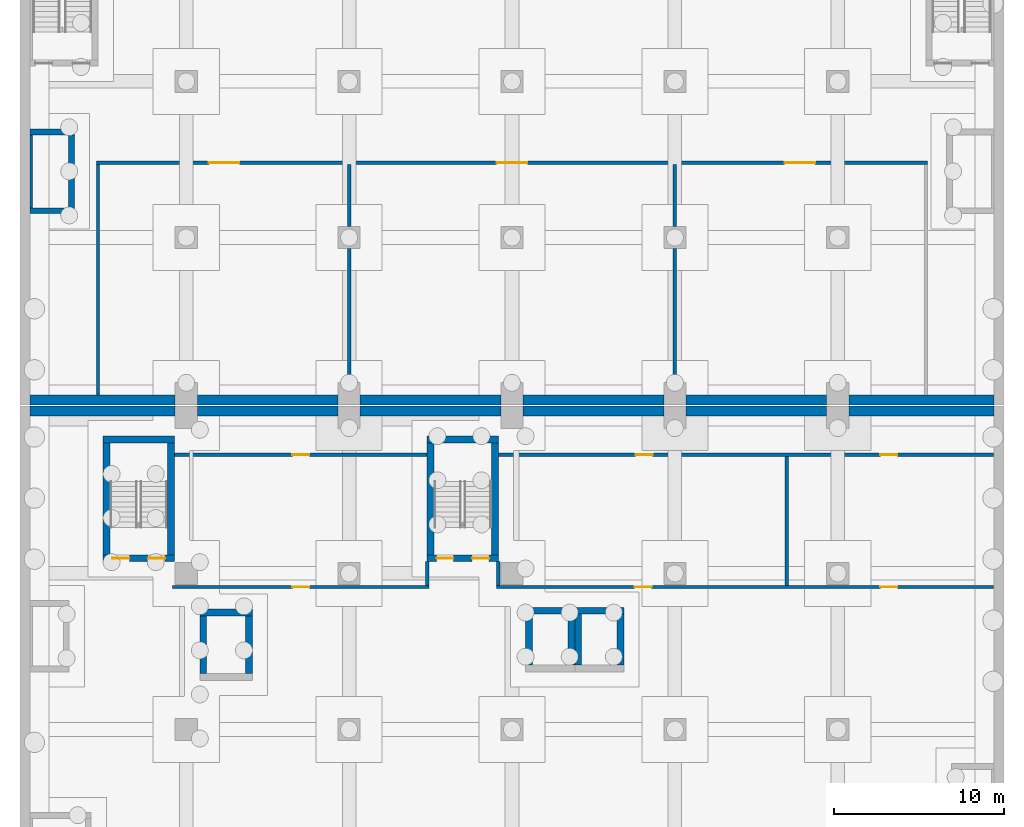
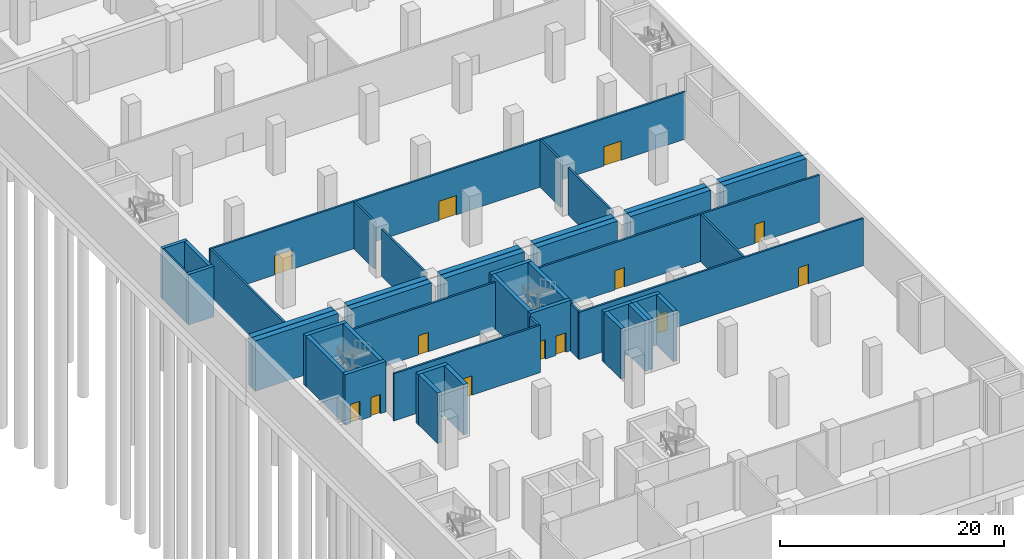
# One storey, part 11 of 33: 46 walls, 13 doors, 13 openings.
"""IFC4 building model written with IfcOpenShell, lengths in metres."""

from ifc_helpers import new_model, si_unit, direction, frame, frame_2d, origin, place, context, subcontext, project, spatial, rectangle, extrude, material, layer, layer_set, type_object, element, fill, save


model = new_model("IFC4")

# Units and contexts
model_context = context("Model", 3, precision=1e-05, world=origin(), true_north=direction((0.0, 1.0)))
body_context = subcontext(model_context, "Body", "Model", "MODEL_VIEW")
ifc_project = project(units=[si_unit("LENGTHUNIT", "METRE"), si_unit("AREAUNIT", "SQUARE_METRE"), si_unit("VOLUMEUNIT", "CUBIC_METRE"), si_unit("PLANEANGLEUNIT", "RADIAN"), si_unit("MASSUNIT", "GRAM", prefix="KILO")], contexts=[model_context])

# Site, building, storey
site_placement = place(None, origin())
site = spatial("IfcSite", under=ifc_project, at=site_placement, CompositionType="ELEMENT")
building_placement = place(site_placement, origin())
building = spatial("IfcBuilding", under=site, at=building_placement, Name="Nzadi Deep Aquarium and Research Tower", CompositionType="ELEMENT")
storey_placement = place(building_placement, frame((0.0, 0.0, -5.5)))
storey = spatial("IfcBuildingStorey", under=building, at=storey_placement, Name="B1", CompositionType="ELEMENT", Elevation=-5.5)

# Wall, opening, door
ifc_material_1 = material(Name="Blockwork masonry", Category="masonry")
ifc_layer_1 = layer(ifc_material_1, 0.199951171875)
ifc_layer_set_1 = layer_set([ifc_layer_1], Name="Blockwork masonry")
wall_type_1 = type_object("IfcWallType", Name="Partition 200 EI 120", PredefinedType="PARTITIONING", material=ifc_layer_set_1)
wall_1_placement = place(storey_placement, frame((8.800048828125, 36.0, 0.0), z_axis=(0.0, 0.0, 1.0), x_axis=(1.0, 0.0, 0.0)))
wall_1 = element("IfcWall", 1, at=wall_1_placement, inside=storey, type_object=wall_type_1, Name="W-Z1-B1-P003", PredefinedType="PARTITIONING", context=body_context, shape_type="SweptSolid", body=[
    extrude(rectangle(XDim=15.099853515625, YDim=0.199951171875, at=frame_2d((7.5498046875, 0.0))), origin(), (0.0, 0.0, 1.0), 5.14990234375),
])
opening_1_placement = place(wall_1_placement, frame((7.050048828125, 0.0, 0.0)))
opening_1 = element("IfcOpeningElement", 2, at=opening_1_placement, cuts=wall_1, Name="Opening D001006", PredefinedType="OPENING", context=body_context, shape_type="SweptSolid", body=[
    extrude(rectangle(XDim=1.0, YDim=2.10009765625, at=frame_2d((0.5, 1.050048828125))), frame((0.0, 0.110107421875, 0.0), z_axis=(0.0, -1.0, 0.0), x_axis=(1.0, 0.0, 0.0)), (0.0, 0.0, 1.0), 0.22021484375),
])
ifc_material_2 = material(Name="Fire-rated steel door", Category="steel")
ifc_layer_2 = layer(ifc_material_2, 0.050048828125)
ifc_layer_set_2 = layer_set([ifc_layer_2], Name="Fire-rated steel door")
door_type_1 = type_object("IfcDoorType", Name="Door 1000x2100 EI 120 single", OperationType="SINGLE_SWING_LEFT", PredefinedType="DOOR", material=ifc_layer_set_2)
door_1_placement = place(opening_1_placement, origin())
door_1 = element("IfcDoor", 3, at=door_1_placement, inside=storey, type_object=door_type_1, Name="D001006", OperationType="SINGLE_SWING_RIGHT", OverallHeight=2.10009765625, OverallWidth=1.0, PredefinedType="DOOR", context=body_context, shape_type="SweptSolid", body=[
    extrude(rectangle(XDim=1.0, YDim=2.10009765625, at=frame_2d((0.5, 1.050048828125))), frame((0.0, 0.02490234375, 0.0), z_axis=(0.0, -1.0, 0.0), x_axis=(1.0, 0.0, 0.0)), (0.0, 0.0, 1.0), 0.050048828125),
])
fill(opening_1, door_1)

wall_2_placement = place(storey_placement, frame((8.906005859375, 43.800048828125, 0.0), z_axis=(0.0, 0.0, 1.0), x_axis=(1.0, 0.0, 0.0)))
wall_2 = element("IfcWall", 4, at=wall_2_placement, inside=storey, type_object=wall_type_1, Name="W-Z1-B1-P004", PredefinedType="PARTITIONING", context=body_context, shape_type="SweptSolid", body=[
    extrude(rectangle(XDim=14.887939453125, YDim=0.199951171875, at=frame_2d((7.44384765625, 0.0))), origin(), (0.0, 0.0, 1.0), 5.14990234375),
])
opening_2_placement = place(wall_2_placement, frame((6.944091796875, 0.0, 0.0)))
opening_2 = element("IfcOpeningElement", 5, at=opening_2_placement, cuts=wall_2, Name="Opening D001005", PredefinedType="OPENING", context=body_context, shape_type="SweptSolid", body=[
    extrude(rectangle(XDim=1.0, YDim=2.10009765625, at=frame_2d((0.5, 1.050048828125))), frame((0.0, 0.110107421875, 0.0), z_axis=(0.0, -1.0, 0.0), x_axis=(1.0, 0.0, 0.0)), (0.0, 0.0, 1.0), 0.22021484375),
])
door_2_placement = place(opening_2_placement, origin())
door_2 = element("IfcDoor", 6, at=door_2_placement, inside=storey, type_object=door_type_1, Name="D001005", OperationType="SINGLE_SWING_RIGHT", OverallHeight=2.10009765625, OverallWidth=1.0, PredefinedType="DOOR", context=body_context, shape_type="SweptSolid", body=[
    extrude(rectangle(XDim=1.0, YDim=2.10009765625, at=frame_2d((0.5, 1.050048828125))), frame((0.0, 0.02490234375, 0.0), z_axis=(0.0, -1.0, 0.0), x_axis=(1.0, 0.0, 0.0)), (0.0, 0.0, 1.0), 0.050048828125),
])
fill(opening_2, door_2)

# Wall
wall_3_placement = place(storey_placement, frame((23.800048828125, 36.10009765625, 0.0), z_axis=(0.0, 0.0, 1.0), x_axis=(0.0, 1.0, 0.0)))
element("IfcWall", 7, at=wall_3_placement, inside=storey, type_object=wall_type_1, Name="W-Z1-B1-P008", PredefinedType="PARTITIONING", context=body_context, shape_type="SweptSolid", body=[
    extrude(rectangle(XDim=1.393798828125, YDim=0.199951171875, at=frame_2d((0.69677734375, 0.0))), origin(), (0.0, 0.0, 1.0), 5.14990234375),
])

# Wall, openings, doors
wall_4_placement = place(storey_placement, frame((27.89990234375, 36.0, 0.0), z_axis=(0.0, 0.0, 1.0), x_axis=(1.0, 0.0, 0.0)))
wall_4 = element("IfcWall", 8, at=wall_4_placement, inside=storey, type_object=wall_type_1, Name="W-Z1-B1-P009", PredefinedType="PARTITIONING", context=body_context, shape_type="SweptSolid", body=[
    extrude(rectangle(XDim=29.294189453125, YDim=0.199951171875, at=frame_2d((14.64697265625, 0.0))), origin(), (0.0, 0.0, 1.0), 5.14990234375),
])
opening_3_placement = place(wall_4_placement, frame((8.135009765625, 0.0, 0.0)))
opening_3 = element("IfcOpeningElement", 9, at=opening_3_placement, cuts=wall_4, Name="Opening D001008", PredefinedType="OPENING", context=body_context, shape_type="SweptSolid", body=[
    extrude(rectangle(XDim=1.0, YDim=2.10009765625, at=frame_2d((0.5, 1.050048828125))), frame((0.0, 0.110107421875, 0.0), z_axis=(0.0, -1.0, 0.0), x_axis=(1.0, 0.0, 0.0)), (0.0, 0.0, 1.0), 0.22021484375),
])
opening_4_placement = place(wall_4_placement, frame((22.612060546875, 0.0, 0.0)))
opening_4 = element("IfcOpeningElement", 10, at=opening_4_placement, cuts=wall_4, Name="Opening D001010", PredefinedType="OPENING", context=body_context, shape_type="SweptSolid", body=[
    extrude(rectangle(XDim=1.0, YDim=2.10009765625, at=frame_2d((0.5, 1.050048828125))), frame((0.0, 0.110107421875, 0.0), z_axis=(0.0, -1.0, 0.0), x_axis=(1.0, 0.0, 0.0)), (0.0, 0.0, 1.0), 0.22021484375),
])
door_3_placement = place(opening_3_placement, origin())
door_3 = element("IfcDoor", 11, at=door_3_placement, inside=storey, type_object=door_type_1, Name="D001008", OperationType="SINGLE_SWING_RIGHT", OverallHeight=2.10009765625, OverallWidth=1.0, PredefinedType="DOOR", context=body_context, shape_type="SweptSolid", body=[
    extrude(rectangle(XDim=1.0, YDim=2.10009765625, at=frame_2d((0.5, 1.050048828125))), frame((0.0, 0.02490234375, 0.0), z_axis=(0.0, -1.0, 0.0), x_axis=(1.0, 0.0, 0.0)), (0.0, 0.0, 1.0), 0.050048828125),
])
fill(opening_3, door_3)
door_4_placement = place(opening_4_placement, origin())
door_4 = element("IfcDoor", 12, at=door_4_placement, inside=storey, type_object=door_type_1, Name="D001010", OperationType="SINGLE_SWING_LEFT", OverallHeight=2.10009765625, OverallWidth=1.0, PredefinedType="DOOR", context=body_context, shape_type="SweptSolid", body=[
    extrude(rectangle(XDim=1.0, YDim=2.10009765625, at=frame_2d((0.5, 1.050048828125))), frame((0.0, 0.02490234375, 0.0), z_axis=(0.0, -1.0, 0.0), x_axis=(1.0, 0.0, 0.0)), (0.0, 0.0, 1.0), 0.050048828125),
])
fill(opening_4, door_4)

# Wall
wall_5_placement = place(storey_placement, frame((28.0, 36.10009765625, 0.0), z_axis=(0.0, 0.0, 1.0), x_axis=(0.0, 1.0, 0.0)))
element("IfcWall", 13, at=wall_5_placement, inside=storey, type_object=wall_type_1, Name="W-Z1-B1-P010", PredefinedType="PARTITIONING", context=body_context, shape_type="SweptSolid", body=[
    extrude(rectangle(XDim=1.393798828125, YDim=0.199951171875, at=frame_2d((0.69677734375, 0.0))), origin(), (0.0, 0.0, 1.0), 5.14990234375),
])

# Wall, openings, doors
wall_6_placement = place(storey_placement, frame((28.006103515625, 43.800048828125, 0.0), z_axis=(0.0, 0.0, 1.0), x_axis=(1.0, 0.0, 0.0)))
wall_6 = element("IfcWall", 14, at=wall_6_placement, inside=storey, type_object=wall_type_1, Name="W-Z1-B1-P011", PredefinedType="PARTITIONING", context=body_context, shape_type="SweptSolid", body=[
    extrude(rectangle(XDim=29.18798828125, YDim=0.199951171875, at=frame_2d((14.593994140625, 0.0))), origin(), (0.0, 0.0, 1.0), 5.14990234375),
])
opening_5_placement = place(wall_6_placement, frame((8.08203125, 0.0, 0.0)))
opening_5 = element("IfcOpeningElement", 15, at=opening_5_placement, cuts=wall_6, Name="Opening D001007", PredefinedType="OPENING", context=body_context, shape_type="SweptSolid", body=[
    extrude(rectangle(XDim=1.0, YDim=2.10009765625, at=frame_2d((0.5, 1.050048828125))), frame((0.0, 0.110107421875, 0.0), z_axis=(0.0, -1.0, 0.0), x_axis=(1.0, 0.0, 0.0)), (0.0, 0.0, 1.0), 0.22021484375),
])
opening_6_placement = place(wall_6_placement, frame((22.506103515625, 0.0, 0.0)))
opening_6 = element("IfcOpeningElement", 16, at=opening_6_placement, cuts=wall_6, Name="Opening D001009", PredefinedType="OPENING", context=body_context, shape_type="SweptSolid", body=[
    extrude(rectangle(XDim=1.0, YDim=2.10009765625, at=frame_2d((0.5, 1.050048828125))), frame((0.0, 0.110107421875, 0.0), z_axis=(0.0, -1.0, 0.0), x_axis=(1.0, 0.0, 0.0)), (0.0, 0.0, 1.0), 0.22021484375),
])
door_5_placement = place(opening_5_placement, origin())
door_5 = element("IfcDoor", 17, at=door_5_placement, inside=storey, type_object=door_type_1, Name="D001007", OperationType="SINGLE_SWING_LEFT", OverallHeight=2.10009765625, OverallWidth=1.0, PredefinedType="DOOR", context=body_context, shape_type="SweptSolid", body=[
    extrude(rectangle(XDim=1.0, YDim=2.10009765625, at=frame_2d((0.5, 1.050048828125))), frame((0.0, 0.02490234375, 0.0), z_axis=(0.0, -1.0, 0.0), x_axis=(1.0, 0.0, 0.0)), (0.0, 0.0, 1.0), 0.050048828125),
])
fill(opening_5, door_5)
door_6_placement = place(opening_6_placement, origin())
door_6 = element("IfcDoor", 18, at=door_6_placement, inside=storey, type_object=door_type_1, Name="D001009", OperationType="SINGLE_SWING_RIGHT", OverallHeight=2.10009765625, OverallWidth=1.0, PredefinedType="DOOR", context=body_context, shape_type="SweptSolid", body=[
    extrude(rectangle(XDim=1.0, YDim=2.10009765625, at=frame_2d((0.5, 1.050048828125))), frame((0.0, 0.02490234375, 0.0), z_axis=(0.0, -1.0, 0.0), x_axis=(1.0, 0.0, 0.0)), (0.0, 0.0, 1.0), 0.050048828125),
])
fill(opening_6, door_6)

# Walls
wall_7_placement = place(storey_placement, frame((45.0, 36.10009765625, 0.0), z_axis=(0.0, 0.0, 1.0), x_axis=(0.0, 1.0, 0.0)))
element("IfcWall", 19, at=wall_7_placement, inside=storey, type_object=wall_type_1, Name="W-Z1-B1-P016", PredefinedType="PARTITIONING", context=body_context, shape_type="SweptSolid", body=[
    extrude(rectangle(XDim=7.599853515625, YDim=0.199951171875, at=frame_2d((3.7998046875, 0.0))), origin(), (0.0, 0.0, 1.0), 5.14990234375),
])
wall_8_placement = place(storey_placement, frame((4.39990234375, 47.325927734375, 0.0), z_axis=(0.0, 0.0, 1.0), x_axis=(0.0, 1.0, 0.0)))
element("IfcWall", 20, at=wall_8_placement, inside=storey, type_object=wall_type_1, Name="W-Z2-B1-P001", PredefinedType="PARTITIONING", context=body_context, shape_type="SweptSolid", body=[
    extrude(rectangle(XDim=13.573974609375, YDim=0.199951171875, at=frame_2d((6.787109375, 0.0))), origin(), (0.0, 0.0, 1.0), 5.14990234375),
])

# Wall, openings, doors
wall_9_placement = place(storey_placement, frame((4.300048828125, 61.0, 0.0), z_axis=(0.0, 0.0, 1.0), x_axis=(1.0, 0.0, 0.0)))
wall_9 = element("IfcWall", 21, at=wall_9_placement, inside=storey, type_object=wall_type_1, Name="W-Z2-B1-P002", PredefinedType="PARTITIONING", context=body_context, shape_type="SweptSolid", body=[
    extrude(rectangle(XDim=49.0, YDim=0.199951171875, at=frame_2d((24.5, 0.0))), origin(), (0.0, 0.0, 1.0), 5.14990234375),
])
opening_7_placement = place(wall_9_placement, frame((6.635009765625, 0.0, 0.0)))
opening_7 = element("IfcOpeningElement", 22, at=opening_7_placement, cuts=wall_9, Name="Opening D002001", PredefinedType="OPENING", context=body_context, shape_type="SweptSolid", body=[
    extrude(rectangle(XDim=1.800048828125, YDim=2.10009765625, at=frame_2d((0.89990234375, 1.050048828125))), frame((0.0, 0.110107421875, 0.0), z_axis=(0.0, -1.0, 0.0), x_axis=(1.0, 0.0, 0.0)), (0.0, 0.0, 1.0), 0.22021484375),
])
opening_8_placement = place(wall_9_placement, frame((23.60009765625, 0.0, 0.0)))
opening_8 = element("IfcOpeningElement", 23, at=opening_8_placement, cuts=wall_9, Name="Opening D002002", PredefinedType="OPENING", context=body_context, shape_type="SweptSolid", body=[
    extrude(rectangle(XDim=1.800048828125, YDim=2.10009765625, at=frame_2d((0.89990234375, 1.050048828125))), frame((0.0, 0.110107421875, 0.0), z_axis=(0.0, -1.0, 0.0), x_axis=(1.0, 0.0, 0.0)), (0.0, 0.0, 1.0), 0.22021484375),
])
opening_9_placement = place(wall_9_placement, frame((40.56494140625, 0.0, 0.0)))
opening_9 = element("IfcOpeningElement", 24, at=opening_9_placement, cuts=wall_9, Name="Opening D002003", PredefinedType="OPENING", context=body_context, shape_type="SweptSolid", body=[
    extrude(rectangle(XDim=1.800048828125, YDim=2.10009765625, at=frame_2d((0.89990234375, 1.050048828125))), frame((0.0, 0.110107421875, 0.0), z_axis=(0.0, -1.0, 0.0), x_axis=(1.0, 0.0, 0.0)), (0.0, 0.0, 1.0), 0.22021484375),
])
ifc_material_3 = material(Name="Fire-rated steel door", Category="steel")
ifc_layer_3 = layer(ifc_material_3, 0.050048828125)
ifc_layer_set_3 = layer_set([ifc_layer_3], Name="Fire-rated steel door")
door_type_2 = type_object("IfcDoorType", Name="Door 1800x2100 EI 120 double", OperationType="DOUBLE_DOOR_SINGLE_SWING", PredefinedType="DOOR", material=ifc_layer_set_3)
door_7_placement = place(opening_7_placement, origin())
door_7 = element("IfcDoor", 25, at=door_7_placement, inside=storey, type_object=door_type_2, Name="D002001", OperationType="DOUBLE_DOOR_SINGLE_SWING", OverallHeight=2.10009765625, OverallWidth=1.800048828125, PredefinedType="DOOR", context=body_context, shape_type="SweptSolid", body=[
    extrude(rectangle(XDim=1.800048828125, YDim=2.10009765625, at=frame_2d((0.89990234375, 1.050048828125))), frame((0.0, 0.02490234375, 0.0), z_axis=(0.0, -1.0, 0.0), x_axis=(1.0, 0.0, 0.0)), (0.0, 0.0, 1.0), 0.050048828125),
])
fill(opening_7, door_7)
door_8_placement = place(opening_8_placement, origin())
door_8 = element("IfcDoor", 26, at=door_8_placement, inside=storey, type_object=door_type_2, Name="D002002", OperationType="DOUBLE_DOOR_SINGLE_SWING", OverallHeight=2.10009765625, OverallWidth=1.800048828125, PredefinedType="DOOR", context=body_context, shape_type="SweptSolid", body=[
    extrude(rectangle(XDim=1.800048828125, YDim=2.10009765625, at=frame_2d((0.89990234375, 1.050048828125))), frame((0.0, 0.02490234375, 0.0), z_axis=(0.0, -1.0, 0.0), x_axis=(1.0, 0.0, 0.0)), (0.0, 0.0, 1.0), 0.050048828125),
])
fill(opening_8, door_8)
door_9_placement = place(opening_9_placement, origin())
door_9 = element("IfcDoor", 27, at=door_9_placement, inside=storey, type_object=door_type_2, Name="D002003", OperationType="DOUBLE_DOOR_SINGLE_SWING", OverallHeight=2.10009765625, OverallWidth=1.800048828125, PredefinedType="DOOR", context=body_context, shape_type="SweptSolid", body=[
    extrude(rectangle(XDim=1.800048828125, YDim=2.10009765625, at=frame_2d((0.89990234375, 1.050048828125))), frame((0.0, 0.02490234375, 0.0), z_axis=(0.0, -1.0, 0.0), x_axis=(1.0, 0.0, 0.0)), (0.0, 0.0, 1.0), 0.050048828125),
])
fill(opening_9, door_9)

# Walls
wall_10_placement = place(storey_placement, frame((19.199951171875, 48.050048828125, 0.0), z_axis=(0.0, 0.0, 1.0), x_axis=(0.0, 1.0, 0.0)))
element("IfcWall", 28, at=wall_10_placement, inside=storey, type_object=wall_type_1, Name="W-Z2-B1-P005", PredefinedType="PARTITIONING", context=body_context, shape_type="SweptSolid", body=[
    extrude(rectangle(XDim=7.89990234375, YDim=0.199951171875, at=frame_2d((3.949951171875, 0.0))), origin(), (0.0, 0.0, 1.0), 5.14990234375),
])
wall_11_placement = place(storey_placement, frame((19.199951171875, 57.25, 0.0), z_axis=(0.0, 0.0, 1.0), x_axis=(0.0, 1.0, 0.0)))
element("IfcWall", 29, at=wall_11_placement, inside=storey, type_object=wall_type_1, Name="W-Z2-B1-P006", PredefinedType="PARTITIONING", context=body_context, shape_type="SweptSolid", body=[
    extrude(rectangle(XDim=3.64990234375, YDim=0.199951171875, at=frame_2d((1.824951171875, 0.0))), origin(), (0.0, 0.0, 1.0), 5.14990234375),
])
wall_12_placement = place(storey_placement, frame((38.39990234375, 48.050048828125, 0.0), z_axis=(0.0, 0.0, 1.0), x_axis=(0.0, 1.0, 0.0)))
element("IfcWall", 30, at=wall_12_placement, inside=storey, type_object=wall_type_1, Name="W-Z2-B1-P008", PredefinedType="PARTITIONING", context=body_context, shape_type="SweptSolid", body=[
    extrude(rectangle(XDim=7.89990234375, YDim=0.199951171875, at=frame_2d((3.949951171875, 0.0))), origin(), (0.0, 0.0, 1.0), 5.14990234375),
])
wall_13_placement = place(storey_placement, frame((38.39990234375, 57.25, 0.0), z_axis=(0.0, 0.0, 1.0), x_axis=(0.0, 1.0, 0.0)))
element("IfcWall", 31, at=wall_13_placement, inside=storey, type_object=wall_type_1, Name="W-Z2-B1-P009", PredefinedType="PARTITIONING", context=body_context, shape_type="SweptSolid", body=[
    extrude(rectangle(XDim=3.64990234375, YDim=0.199951171875, at=frame_2d((1.824951171875, 0.0))), origin(), (0.0, 0.0, 1.0), 5.14990234375),
])
ifc_material_4 = material(Name="Concrete C35/45", Category="concrete")
ifc_layer_4 = layer(ifc_material_4, 0.14990234375)
ifc_layer_set_4 = layer_set([ifc_layer_4], Name="Concrete C35/45")
wall_type_2 = type_object("IfcWallType", Name="RC core wall 150", PredefinedType="SHEAR", material=ifc_layer_set_4)
wall_14_placement = place(storey_placement, frame((0.47509765625, 58.35009765625, 0.0), z_axis=(0.0, 0.0, 1.0), x_axis=(0.0, 1.0, 0.0)))
element("IfcWall", 32, at=wall_14_placement, inside=storey, type_object=wall_type_2, Name="W-CORE-RS-Z2-W-B1-W", PredefinedType="SHEAR", context=body_context, shape_type="SweptSolid", body=[
    extrude(rectangle(XDim=4.2998046875, YDim=0.14990234375, at=frame_2d((2.14990234375, 0.0))), origin(), (0.0, 0.0, 1.0), 5.5),
])
ifc_material_5 = material(Name="Concrete C35/45", Category="concrete")
ifc_layer_5 = layer(ifc_material_5, 0.35009765625)
ifc_layer_set_5 = layer_set([ifc_layer_5], Name="Concrete C35/45")
wall_type_3 = type_object("IfcWallType", Name="RC core wall 350, 5.50 to 6.50 m high", PredefinedType="SHEAR", material=ifc_layer_set_5)
for number, where, z_axis, x_axis, name in (
    (33, (0.39990234375, 58.175048828125, 0.0), (0.0, 0.0, 1.0), (1.0, 0.0, 0.0), "W-CORE-RS-Z2-W-B1-S"),
    (34, (0.39990234375, 62.824951171875, 0.0), (0.0, 0.0, 1.0), (1.0, 0.0, 0.0), "W-CORE-RS-Z2-W-B1-N"),
):
    element("IfcWall", number, at=place(storey_placement, frame(where, z_axis=z_axis, x_axis=x_axis)), inside=storey, type_object=wall_type_3, Name=name, PredefinedType="SHEAR", context=body_context, shape_type="SweptSolid", body=[
        extrude(rectangle(XDim=2.60009765625, YDim=0.35009765625, at=frame_2d((1.300048828125, 0.0))), origin(), (0.0, 0.0, 1.0), 5.5),
    ])
wall_15_placement = place(storey_placement, frame((2.824951171875, 58.35009765625, 0.0), z_axis=(0.0, 0.0, 1.0), x_axis=(0.0, 1.0, 0.0)))
element("IfcWall", 35, at=wall_15_placement, inside=storey, type_object=wall_type_3, Name="W-CORE-RS-Z2-W-B1-E", PredefinedType="SHEAR", context=body_context, shape_type="SweptSolid", body=[
    extrude(rectangle(XDim=4.2998046875, YDim=0.35009765625, at=frame_2d((2.14990234375, 0.0))), origin(), (0.0, 0.0, 1.0), 5.5),
])

# Wall, openings, doors
ifc_material_6 = material(Name="Concrete C35/45", Category="concrete")
ifc_layer_6 = layer(ifc_material_6, 0.39990234375)
ifc_layer_set_6 = layer_set([ifc_layer_6], Name="Concrete C35/45")
wall_type_4 = type_object("IfcWallType", Name="RC core wall 400, 5.50 to 6.50 m high", PredefinedType="SHEAR", material=ifc_layer_set_6)
wall_16_placement = place(storey_placement, frame((4.699951171875, 37.699951171875, 0.0), z_axis=(0.0, 0.0, 1.0), x_axis=(1.0, 0.0, 0.0)))
wall_16 = element("IfcWall", 36, at=wall_16_placement, inside=storey, type_object=wall_type_4, Name="W-CORE-ST-Z1-NW-B1-S", PredefinedType="SHEAR", context=body_context, shape_type="SweptSolid", body=[
    extrude(rectangle(XDim=4.199951171875, YDim=0.39990234375, at=frame_2d((2.10009765625, 0.0))), origin(), (0.0, 0.0, 1.0), 5.5),
])
opening_10_placement = place(wall_16_placement, frame((0.550048828125, 0.0, 0.0)))
opening_10 = element("IfcOpeningElement", 37, at=opening_10_placement, cuts=wall_16, Name="Opening DS-Z1-NW-B1A", PredefinedType="OPENING", context=body_context, shape_type="SweptSolid", body=[
    extrude(rectangle(XDim=1.0, YDim=2.10009765625, at=frame_2d((0.5, 1.050048828125))), frame((0.0, 0.2099609375, 0.0), z_axis=(0.0, -1.0, 0.0), x_axis=(1.0, 0.0, 0.0)), (0.0, 0.0, 1.0), 0.419921875),
])
opening_11_placement = place(wall_16_placement, frame((2.64990234375, 0.0, 0.0)))
opening_11 = element("IfcOpeningElement", 38, at=opening_11_placement, cuts=wall_16, Name="Opening DS-Z1-NW-B1B", PredefinedType="OPENING", context=body_context, shape_type="SweptSolid", body=[
    extrude(rectangle(XDim=1.0, YDim=2.10009765625, at=frame_2d((0.5, 1.050048828125))), frame((0.0, 0.2099609375, 0.0), z_axis=(0.0, -1.0, 0.0), x_axis=(1.0, 0.0, 0.0)), (0.0, 0.0, 1.0), 0.419921875),
])
ifc_material_7 = material(Name="Steel, powder coated", Category="steel")
door_type_3 = type_object("IfcDoorType", Name="STAIR DOOR 1000x2100 EI 60", OperationType="SINGLE_SWING_LEFT", PredefinedType="DOOR", material=ifc_material_7)
door_10_placement = place(opening_10_placement, origin())
door_10 = element("IfcDoor", 39, at=door_10_placement, inside=storey, type_object=door_type_3, Name="Stair door ST-Z1-NW B1 A", OperationType="SINGLE_SWING_RIGHT", OverallHeight=2.10009765625, OverallWidth=1.0, PredefinedType="DOOR", context=body_context, shape_type="SweptSolid", body=[
    extrude(rectangle(XDim=1.0, YDim=2.10009765625, at=frame_2d((0.5, 1.050048828125))), frame((0.0, 0.02490234375, 0.0), z_axis=(0.0, -1.0, 0.0), x_axis=(1.0, 0.0, 0.0)), (0.0, 0.0, 1.0), 0.050048828125),
])
fill(opening_10, door_10)
door_11_placement = place(opening_11_placement, origin())
door_11 = element("IfcDoor", 40, at=door_11_placement, inside=storey, type_object=door_type_3, Name="Stair door ST-Z1-NW B1 B", OperationType="SINGLE_SWING_LEFT", OverallHeight=2.10009765625, OverallWidth=1.0, PredefinedType="DOOR", context=body_context, shape_type="SweptSolid", body=[
    extrude(rectangle(XDim=1.0, YDim=2.10009765625, at=frame_2d((0.5, 1.050048828125))), frame((0.0, 0.02490234375, 0.0), z_axis=(0.0, -1.0, 0.0), x_axis=(1.0, 0.0, 0.0)), (0.0, 0.0, 1.0), 0.050048828125),
])
fill(opening_11, door_11)

# Walls
wall_17_placement = place(storey_placement, frame((4.699951171875, 44.699951171875, 0.0), z_axis=(0.0, 0.0, 1.0), x_axis=(1.0, 0.0, 0.0)))
element("IfcWall", 41, at=wall_17_placement, inside=storey, type_object=wall_type_4, Name="W-CORE-ST-Z1-NW-B1-N", PredefinedType="SHEAR", context=body_context, shape_type="SweptSolid", body=[
    extrude(rectangle(XDim=4.199951171875, YDim=0.39990234375, at=frame_2d((2.10009765625, 0.0))), origin(), (0.0, 0.0, 1.0), 5.5),
])
for number, where, z_axis, x_axis, name in (
    (42, (4.89990234375, 37.89990234375, 0.0), (0.0, 0.0, 1.0), (0.0, 1.0, 0.0), "W-CORE-ST-Z1-NW-B1-W"),
    (43, (8.699951171875, 37.89990234375, 0.0), (0.0, 0.0, 1.0), (0.0, 1.0, 0.0), "W-CORE-ST-Z1-NW-B1-E"),
):
    element("IfcWall", number, at=place(storey_placement, frame(where, z_axis=z_axis, x_axis=x_axis)), inside=storey, type_object=wall_type_4, Name=name, PredefinedType="SHEAR", context=body_context, shape_type="SweptSolid", body=[
        extrude(rectangle(XDim=6.60009765625, YDim=0.39990234375, at=frame_2d((3.300048828125, 0.0))), origin(), (0.0, 0.0, 1.0), 5.5),
    ])

# Wall, openings, doors
wall_18_placement = place(storey_placement, frame((23.800048828125, 37.699951171875, 0.0), z_axis=(0.0, 0.0, 1.0), x_axis=(1.0, 0.0, 0.0)))
wall_18 = element("IfcWall", 44, at=wall_18_placement, inside=storey, type_object=wall_type_4, Name="W-CORE-ST-Z1-NE-B1-S", PredefinedType="SHEAR", context=body_context, shape_type="SweptSolid", body=[
    extrude(rectangle(XDim=4.199951171875, YDim=0.39990234375, at=frame_2d((2.10009765625, 0.0))), origin(), (0.0, 0.0, 1.0), 5.5),
])
opening_12_placement = place(wall_18_placement, frame((0.550048828125, 0.0, 0.0)))
opening_12 = element("IfcOpeningElement", 45, at=opening_12_placement, cuts=wall_18, Name="Opening DS-Z1-NE-B1A", PredefinedType="OPENING", context=body_context, shape_type="SweptSolid", body=[
    extrude(rectangle(XDim=1.0, YDim=2.10009765625, at=frame_2d((0.5, 1.050048828125))), frame((0.0, 0.2099609375, 0.0), z_axis=(0.0, -1.0, 0.0), x_axis=(1.0, 0.0, 0.0)), (0.0, 0.0, 1.0), 0.419921875),
])
opening_13_placement = place(wall_18_placement, frame((2.64990234375, 0.0, 0.0)))
opening_13 = element("IfcOpeningElement", 46, at=opening_13_placement, cuts=wall_18, Name="Opening DS-Z1-NE-B1B", PredefinedType="OPENING", context=body_context, shape_type="SweptSolid", body=[
    extrude(rectangle(XDim=1.0, YDim=2.10009765625, at=frame_2d((0.5, 1.050048828125))), frame((0.0, 0.2099609375, 0.0), z_axis=(0.0, -1.0, 0.0), x_axis=(1.0, 0.0, 0.0)), (0.0, 0.0, 1.0), 0.419921875),
])
door_12_placement = place(opening_12_placement, origin())
door_12 = element("IfcDoor", 47, at=door_12_placement, inside=storey, type_object=door_type_3, Name="Stair door ST-Z1-NE B1 A", OperationType="SINGLE_SWING_RIGHT", OverallHeight=2.10009765625, OverallWidth=1.0, PredefinedType="DOOR", context=body_context, shape_type="SweptSolid", body=[
    extrude(rectangle(XDim=1.0, YDim=2.10009765625, at=frame_2d((0.5, 1.050048828125))), frame((0.0, 0.02490234375, 0.0), z_axis=(0.0, -1.0, 0.0), x_axis=(1.0, 0.0, 0.0)), (0.0, 0.0, 1.0), 0.050048828125),
])
fill(opening_12, door_12)
door_13_placement = place(opening_13_placement, origin())
door_13 = element("IfcDoor", 48, at=door_13_placement, inside=storey, type_object=door_type_3, Name="Stair door ST-Z1-NE B1 B", OperationType="SINGLE_SWING_LEFT", OverallHeight=2.10009765625, OverallWidth=1.0, PredefinedType="DOOR", context=body_context, shape_type="SweptSolid", body=[
    extrude(rectangle(XDim=1.0, YDim=2.10009765625, at=frame_2d((0.5, 1.050048828125))), frame((0.0, 0.02490234375, 0.0), z_axis=(0.0, -1.0, 0.0), x_axis=(1.0, 0.0, 0.0)), (0.0, 0.0, 1.0), 0.050048828125),
])
fill(opening_13, door_13)

# Walls
wall_19_placement = place(storey_placement, frame((23.800048828125, 44.699951171875, 0.0), z_axis=(0.0, 0.0, 1.0), x_axis=(1.0, 0.0, 0.0)))
element("IfcWall", 49, at=wall_19_placement, inside=storey, type_object=wall_type_4, Name="W-CORE-ST-Z1-NE-B1-N", PredefinedType="SHEAR", context=body_context, shape_type="SweptSolid", body=[
    extrude(rectangle(XDim=4.199951171875, YDim=0.39990234375, at=frame_2d((2.10009765625, 0.0))), origin(), (0.0, 0.0, 1.0), 5.5),
])
for number, where, z_axis, x_axis, name in (
    (50, (24.0, 37.89990234375, 0.0), (0.0, 0.0, 1.0), (0.0, 1.0, 0.0), "W-CORE-ST-Z1-NE-B1-W"),
    (51, (27.800048828125, 37.89990234375, 0.0), (0.0, 0.0, 1.0), (0.0, 1.0, 0.0), "W-CORE-ST-Z1-NE-B1-E"),
):
    element("IfcWall", number, at=place(storey_placement, frame(where, z_axis=z_axis, x_axis=x_axis)), inside=storey, type_object=wall_type_4, Name=name, PredefinedType="SHEAR", context=body_context, shape_type="SweptSolid", body=[
        extrude(rectangle(XDim=6.60009765625, YDim=0.39990234375, at=frame_2d((3.300048828125, 0.0))), origin(), (0.0, 0.0, 1.0), 5.5),
    ])
wall_20_placement = place(storey_placement, frame((10.39990234375, 34.5, 0.0), z_axis=(0.0, 0.0, 1.0), x_axis=(1.0, 0.0, 0.0)))
element("IfcWall", 52, at=wall_20_placement, inside=storey, type_object=wall_type_4, Name="W-CORE-FL2-B1-N", PredefinedType="SHEAR", context=body_context, shape_type="SweptSolid", body=[
    extrude(rectangle(XDim=3.10009765625, YDim=0.39990234375, at=frame_2d((1.550048828125, 0.0))), origin(), (0.0, 0.0, 1.0), 5.5),
])
for number, where, z_axis, x_axis, name in (
    (53, (10.60009765625, 30.89990234375, 0.0), (0.0, 0.0, 1.0), (0.0, 1.0, 0.0), "W-CORE-FL2-B1-W"),
    (54, (13.300048828125, 30.89990234375, 0.0), (0.0, 0.0, 1.0), (0.0, 1.0, 0.0), "W-CORE-FL2-B1-E"),
):
    element("IfcWall", number, at=place(storey_placement, frame(where, z_axis=z_axis, x_axis=x_axis)), inside=storey, type_object=wall_type_4, Name=name, PredefinedType="SHEAR", context=body_context, shape_type="SweptSolid", body=[
        extrude(rectangle(XDim=3.400146484375, YDim=0.39990234375, at=frame_2d((1.7001953125, 0.0))), origin(), (0.0, 0.0, 1.0), 5.5),
    ])
wall_21_placement = place(storey_placement, frame((29.60009765625, 34.60009765625, 0.0), z_axis=(0.0, 0.0, 1.0), x_axis=(1.0, 0.0, 0.0)))
element("IfcWall", 55, at=wall_21_placement, inside=storey, type_object=wall_type_4, Name="W-CORE-TL3-B1-N", PredefinedType="SHEAR", context=body_context, shape_type="SweptSolid", body=[
    extrude(rectangle(XDim=2.89990234375, YDim=0.39990234375, at=frame_2d((1.449951171875, 0.0))), origin(), (0.0, 0.0, 1.0), 5.5),
])
for number, where, z_axis, x_axis, name in (
    (56, (29.800048828125, 31.39990234375, 0.0), (0.0, 0.0, 1.0), (0.0, 1.0, 0.0), "W-CORE-TL3-B1-W"),
    (57, (32.300048828125, 31.39990234375, 0.0), (0.0, 0.0, 1.0), (0.0, 1.0, 0.0), "W-CORE-TL3-B1-E"),
):
    element("IfcWall", number, at=place(storey_placement, frame(where, z_axis=z_axis, x_axis=x_axis)), inside=storey, type_object=wall_type_4, Name=name, PredefinedType="SHEAR", context=body_context, shape_type="SweptSolid", body=[
        extrude(rectangle(XDim=3.0, YDim=0.39990234375, at=frame_2d((1.5, 0.0))), origin(), (0.0, 0.0, 1.0), 5.5),
    ])
wall_22_placement = place(storey_placement, frame((32.5, 34.60009765625, 0.0), z_axis=(0.0, 0.0, 1.0), x_axis=(1.0, 0.0, 0.0)))
element("IfcWall", 58, at=wall_22_placement, inside=storey, type_object=wall_type_4, Name="W-CORE-TL4-B1-N", PredefinedType="SHEAR", context=body_context, shape_type="SweptSolid", body=[
    extrude(rectangle(XDim=2.89990234375, YDim=0.39990234375, at=frame_2d((1.449951171875, 0.0))), origin(), (0.0, 0.0, 1.0), 5.5),
])
for number, where, z_axis, x_axis, name in (
    (59, (32.699951171875, 31.39990234375, 0.0), (0.0, 0.0, 1.0), (0.0, 1.0, 0.0), "W-CORE-TL4-B1-W"),
    (60, (35.199951171875, 31.39990234375, 0.0), (0.0, 0.0, 1.0), (0.0, 1.0, 0.0), "W-CORE-TL4-B1-E"),
):
    element("IfcWall", number, at=place(storey_placement, frame(where, z_axis=z_axis, x_axis=x_axis)), inside=storey, type_object=wall_type_4, Name=name, PredefinedType="SHEAR", context=body_context, shape_type="SweptSolid", body=[
        extrude(rectangle(XDim=3.0, YDim=0.39990234375, at=frame_2d((1.5, 0.0))), origin(), (0.0, 0.0, 1.0), 5.5),
    ])
ifc_material_8 = material(Name="Concrete C40/50", Category="concrete")
ifc_layer_7 = layer(ifc_material_8, 0.60009765625)
ifc_layer_set_7 = layer_set([ifc_layer_7], Name="Concrete C40/50")
wall_type_5 = type_object("IfcWallType", Name="RC retaining wall 600 C40/50", PredefinedType="SOLIDWALL", material=ifc_layer_set_7)
wall_23_placement = place(storey_placement, frame((0.39990234375, 46.3798828125, 0.0), z_axis=(0.0, 0.0, 1.0), x_axis=(1.0, 0.0, 0.0)))
element("IfcWall", 61, at=wall_23_placement, inside=storey, type_object=wall_type_5, Name="W-RET-Z1-JN-1", PredefinedType="SOLIDWALL", context=body_context, shape_type="SweptSolid", body=[
    extrude(rectangle(XDim=8.550048828125, YDim=0.60009765625, at=frame_2d((4.27490234375, 0.0))), origin(), (0.0, 0.0, 1.0), 5.5),
])
wall_24_placement = place(storey_placement, frame((10.25, 46.3798828125, 0.0), z_axis=(0.0, 0.0, 1.0), x_axis=(1.0, 0.0, 0.0)))
element("IfcWall", 62, at=wall_24_placement, inside=storey, type_object=wall_type_5, Name="W-RET-Z1-JN-2", PredefinedType="SOLIDWALL", context=body_context, shape_type="SweptSolid", body=[
    extrude(rectangle(XDim=8.300048828125, YDim=0.60009765625, at=frame_2d((4.14990234375, 0.0))), origin(), (0.0, 0.0, 1.0), 5.5),
])
wall_25_placement = place(storey_placement, frame((19.85009765625, 46.3798828125, 0.0), z_axis=(0.0, 0.0, 1.0), x_axis=(1.0, 0.0, 0.0)))
element("IfcWall", 63, at=wall_25_placement, inside=storey, type_object=wall_type_5, Name="W-RET-Z1-JN-3", PredefinedType="SOLIDWALL", context=body_context, shape_type="SweptSolid", body=[
    extrude(rectangle(XDim=8.2998046875, YDim=0.60009765625, at=frame_2d((4.14990234375, 0.0))), origin(), (0.0, 0.0, 1.0), 5.5),
])
for number, where, z_axis, x_axis, name in (
    (64, (29.449951171875, 46.3798828125, 0.0), (0.0, 0.0, 1.0), (1.0, 0.0, 0.0), "W-RET-Z1-JN-4"),
    (65, (39.050048828125, 46.3798828125, 0.0), (0.0, 0.0, 1.0), (1.0, 0.0, 0.0), "W-RET-Z1-JN-5"),
):
    element("IfcWall", number, at=place(storey_placement, frame(where, z_axis=z_axis, x_axis=x_axis)), inside=storey, type_object=wall_type_5, Name=name, PredefinedType="SOLIDWALL", context=body_context, shape_type="SweptSolid", body=[
        extrude(rectangle(XDim=8.300048828125, YDim=0.60009765625, at=frame_2d((4.14990234375, 0.0))), origin(), (0.0, 0.0, 1.0), 5.5),
    ])
for number, where, z_axis, x_axis, name in (
    (66, (48.64990234375, 46.3798828125, 0.0), (0.0, 0.0, 1.0), (1.0, 0.0, 0.0), "W-RET-Z1-JN-6"),
    (67, (0.39990234375, 47.02001953125, 0.0), (0.0, 0.0, 1.0), (1.0, 0.0, 0.0), "W-RET-Z2-JS-1"),
):
    element("IfcWall", number, at=place(storey_placement, frame(where, z_axis=z_axis, x_axis=x_axis)), inside=storey, type_object=wall_type_5, Name=name, PredefinedType="SOLIDWALL", context=body_context, shape_type="SweptSolid", body=[
        extrude(rectangle(XDim=8.550048828125, YDim=0.60009765625, at=frame_2d((4.27490234375, 0.0))), origin(), (0.0, 0.0, 1.0), 5.5),
    ])
wall_26_placement = place(storey_placement, frame((10.25, 47.02001953125, 0.0), z_axis=(0.0, 0.0, 1.0), x_axis=(1.0, 0.0, 0.0)))
element("IfcWall", 68, at=wall_26_placement, inside=storey, type_object=wall_type_5, Name="W-RET-Z2-JS-2", PredefinedType="SOLIDWALL", context=body_context, shape_type="SweptSolid", body=[
    extrude(rectangle(XDim=8.300048828125, YDim=0.60009765625, at=frame_2d((4.14990234375, 0.0))), origin(), (0.0, 0.0, 1.0), 5.5),
])
wall_27_placement = place(storey_placement, frame((19.85009765625, 47.02001953125, 0.0), z_axis=(0.0, 0.0, 1.0), x_axis=(1.0, 0.0, 0.0)))
element("IfcWall", 69, at=wall_27_placement, inside=storey, type_object=wall_type_5, Name="W-RET-Z2-JS-3", PredefinedType="SOLIDWALL", context=body_context, shape_type="SweptSolid", body=[
    extrude(rectangle(XDim=8.2998046875, YDim=0.60009765625, at=frame_2d((4.14990234375, 0.0))), origin(), (0.0, 0.0, 1.0), 5.5),
])
for number, where, z_axis, x_axis, name in (
    (70, (29.449951171875, 47.02001953125, 0.0), (0.0, 0.0, 1.0), (1.0, 0.0, 0.0), "W-RET-Z2-JS-4"),
    (71, (39.050048828125, 47.02001953125, 0.0), (0.0, 0.0, 1.0), (1.0, 0.0, 0.0), "W-RET-Z2-JS-5"),
):
    element("IfcWall", number, at=place(storey_placement, frame(where, z_axis=z_axis, x_axis=x_axis)), inside=storey, type_object=wall_type_5, Name=name, PredefinedType="SOLIDWALL", context=body_context, shape_type="SweptSolid", body=[
        extrude(rectangle(XDim=8.300048828125, YDim=0.60009765625, at=frame_2d((4.14990234375, 0.0))), origin(), (0.0, 0.0, 1.0), 5.5),
    ])
wall_28_placement = place(storey_placement, frame((48.64990234375, 47.02001953125, 0.0), z_axis=(0.0, 0.0, 1.0), x_axis=(1.0, 0.0, 0.0)))
element("IfcWall", 72, at=wall_28_placement, inside=storey, type_object=wall_type_5, Name="W-RET-Z2-JS-6", PredefinedType="SOLIDWALL", context=body_context, shape_type="SweptSolid", body=[
    extrude(rectangle(XDim=8.550048828125, YDim=0.60009765625, at=frame_2d((4.27490234375, 0.0))), origin(), (0.0, 0.0, 1.0), 5.5),
])

save(model, "model.ifc")
